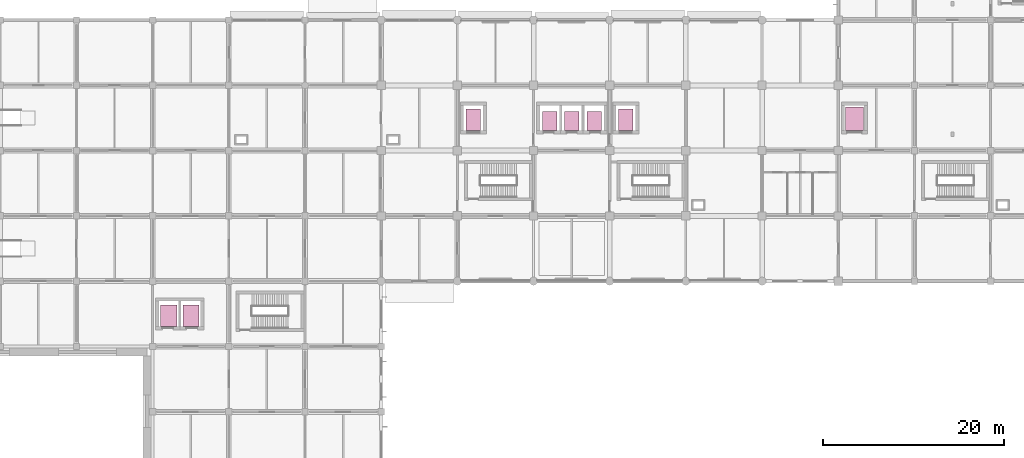
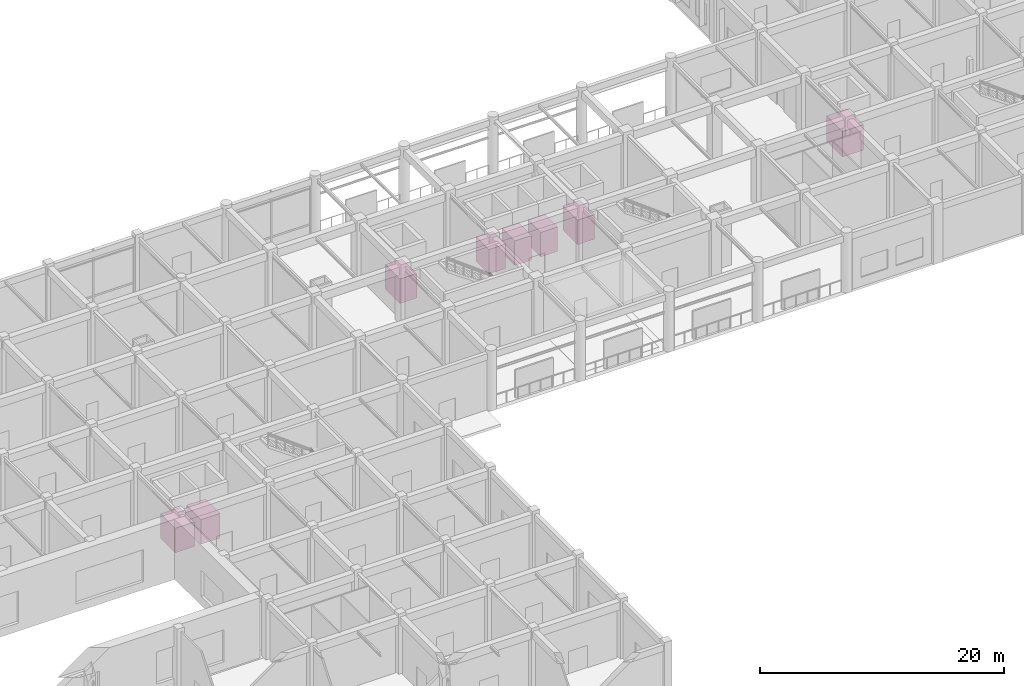
# One storey, part 39 of 39: 8 transport elements.
"""IFC4 building model written with IfcOpenShell, lengths in metres."""

from ifc_helpers import new_model, si_unit, derived_unit, direction, frame, origin, origin_2d, place, context, subcontext, project, spatial, rectangle, extrude, material, type_object, element, save


model = new_model("IFC4")

# Units and contexts
model_context = context("Model", 3, precision=1e-05, world=origin(), true_north=direction((0.0, 1.0)))
body_context = subcontext(model_context, "Body", "Model", "MODEL_VIEW")
ifc_project = project(units=[si_unit("LENGTHUNIT", "METRE"), si_unit("AREAUNIT", "SQUARE_METRE"), si_unit("VOLUMEUNIT", "CUBIC_METRE"), si_unit("PLANEANGLEUNIT", "RADIAN"), si_unit("MASSUNIT", "GRAM", prefix="KILO"), derived_unit("THERMALTRANSMITTANCEUNIT", [(si_unit("MASSUNIT", "GRAM", prefix="KILO"), 1), (si_unit("TIMEUNIT", "SECOND"), -3), (si_unit("THERMODYNAMICTEMPERATUREUNIT", "KELVIN"), -1)])], contexts=[model_context])

# Site, building, storey
site_placement = place(None, origin())
site = spatial("IfcSite", under=ifc_project, at=site_placement, CompositionType="ELEMENT")
building_placement = place(site_placement, origin())
building = spatial("IfcBuilding", under=site, at=building_placement, Name="Veldstrom Oceanarium and Marine Research Institute", CompositionType="ELEMENT")
storey_placement = place(building_placement, origin())
storey = spatial("IfcBuildingStorey", under=building, at=storey_placement, Name="L00", CompositionType="ELEMENT", Elevation=0.0)

# Transport elements
ifc_material_1 = material(Name="Brushed Stainless Steel Lift Car", Category="steel")
transport_element_type_1 = type_object("IfcTransportElementType", Name="ARC-LFT-AP", PredefinedType="ELEVATOR", material=ifc_material_1)
for number, where, z_axis, x_axis, name in (
    (1, (43.77490234375, 39.39990234375, 0.0), (0.0, 0.0, 1.0), (1.0, 0.0, 0.0), "Aquarium Passenger Lift LP4"),
    (2, (46.22509765625, 39.39990234375, 0.0), (0.0, 0.0, 1.0), (1.0, 0.0, 0.0), "Aquarium Passenger Lift LP5"),
):
    element("IfcTransportElement", number, at=place(storey_placement, frame(where, z_axis=z_axis, x_axis=x_axis)), inside=storey, type_object=transport_element_type_1, Name=name, PredefinedType="ELEVATOR", context=body_context, shape_type="SweptSolid", body=[
        extrude(rectangle(XDim=1.800048828125, YDim=2.39990234375, at=origin_2d()), origin(), (0.0, 0.0, 1.0), 2.449951171875),
    ])
ifc_material_2 = material(Name="Brushed Stainless Steel Lift Car", Category="steel")
transport_element_type_2 = type_object("IfcTransportElementType", Name="ARC-LFT-FF", PredefinedType="ELEVATOR", material=ifc_material_2)
for number, where, z_axis, x_axis, name in (
    (3, (77.375, 61.0, 0.0), (0.0, 0.0, 1.0), (1.0, 0.0, 0.0), "Firefighting Lift LF1"),
    (4, (94.175048828125, 61.0, 0.0), (0.0, 0.0, 1.0), (1.0, 0.0, 0.0), "Firefighting Lift LF2"),
):
    element("IfcTransportElement", number, at=place(storey_placement, frame(where, z_axis=z_axis, x_axis=x_axis)), inside=storey, type_object=transport_element_type_2, Name=name, PredefinedType="ELEVATOR", context=body_context, shape_type="SweptSolid", body=[
        extrude(rectangle(XDim=1.60009765625, YDim=2.39990234375, at=origin_2d()), origin(), (0.0, 0.0, 1.0), 2.449951171875),
    ])
ifc_material_3 = material(Name="Brushed Stainless Steel Lift Car", Category="steel")
transport_element_type_3 = type_object("IfcTransportElementType", Name="ARC-LFT-GD", PredefinedType="ELEVATOR", material=ifc_material_3)
transport_element_placement = place(storey_placement, frame((119.375, 61.10009765625, 0.0), z_axis=(0.0, 0.0, 1.0), x_axis=(1.0, 0.0, 0.0)))
element("IfcTransportElement", 5, at=transport_element_placement, inside=storey, type_object=transport_element_type_3, Name="Quarantine Goods Lift LG1", PredefinedType="ELEVATOR", context=body_context, shape_type="SweptSolid", body=[
    extrude(rectangle(XDim=2.0, YDim=2.60009765625, at=origin_2d()), origin(), (0.0, 0.0, 1.0), 2.550048828125),
])
ifc_material_4 = material(Name="Brushed Stainless Steel Lift Car", Category="steel")
transport_element_type_4 = type_object("IfcTransportElementType", Name="ARC-LFT-TP", PredefinedType="ELEVATOR", material=ifc_material_4)
for number, where, z_axis, x_axis, name in (
    (6, (85.77490234375, 60.85009765625, 0.0), (0.0, 0.0, 1.0), (1.0, 0.0, 0.0), "Tower Passenger Lift LP1"),
    (7, (88.22509765625, 60.85009765625, 0.0), (0.0, 0.0, 1.0), (1.0, 0.0, 0.0), "Tower Passenger Lift LP2"),
    (8, (90.675048828125, 60.85009765625, 0.0), (0.0, 0.0, 1.0), (1.0, 0.0, 0.0), "Tower Passenger Lift LP3"),
):
    element("IfcTransportElement", number, at=place(storey_placement, frame(where, z_axis=z_axis, x_axis=x_axis)), inside=storey, type_object=transport_element_type_4, Name=name, PredefinedType="ELEVATOR", context=body_context, shape_type="SweptSolid", body=[
        extrude(rectangle(XDim=1.60009765625, YDim=2.10009765625, at=origin_2d()), origin(), (0.0, 0.0, 1.0), 2.449951171875),
    ])

save(model, "model.ifc")
